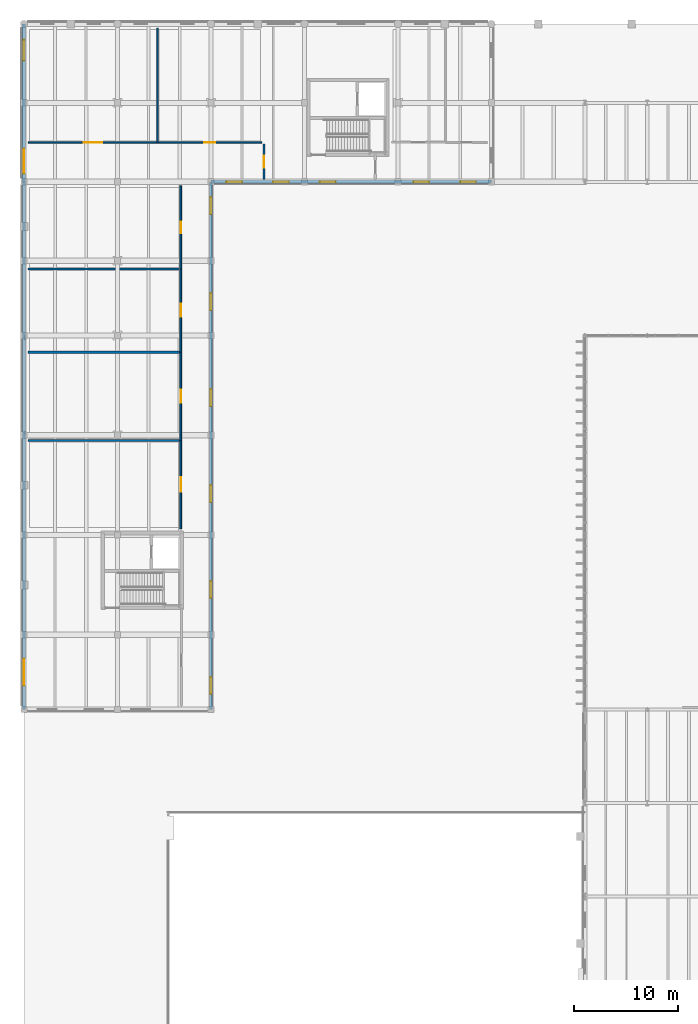
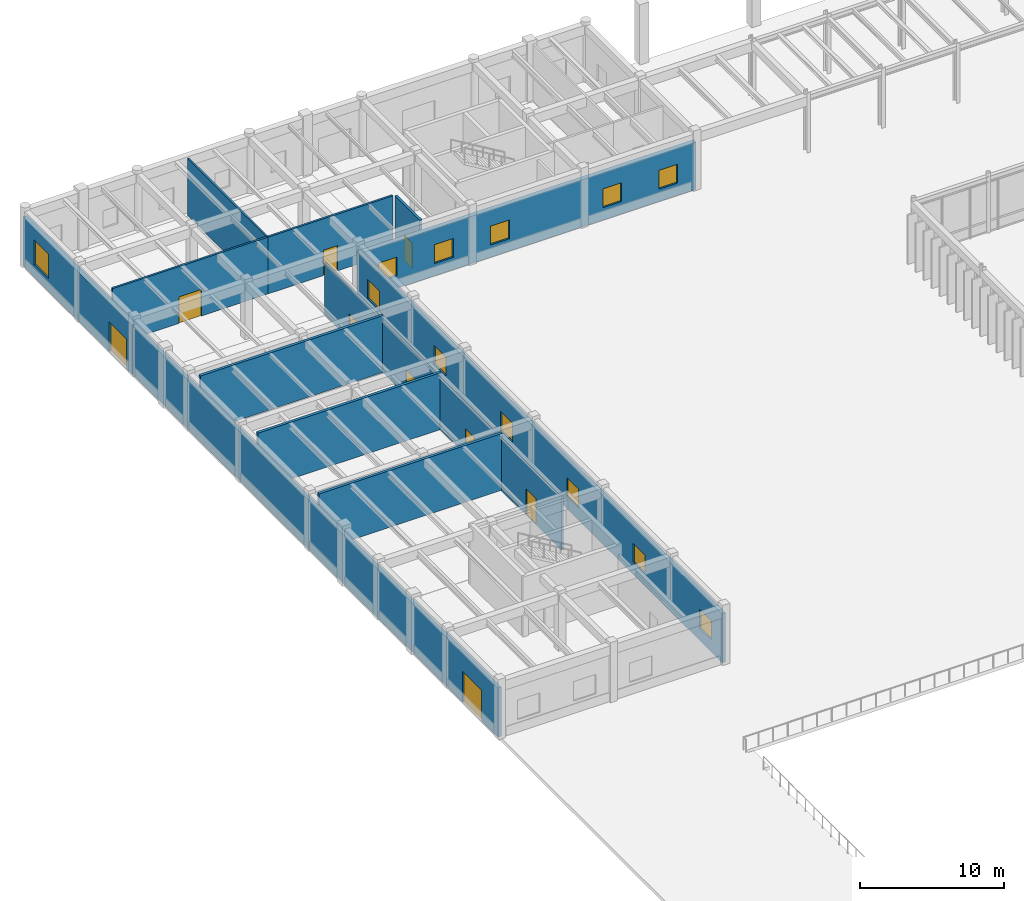
# One storey, part 43 of 64: 15 walls, 12 windows, 9 doors, 21 openings.
"""IFC4 building model written with IfcOpenShell, lengths in metres."""

import ifcopenshell
import ifcopenshell.guid

model = None  # the IFC model being written
_history = None  # IfcOwnerHistory: only IFC2X3 demands one
_inside = {}  # id of a spatial element -> (the spatial element, [elements in it])
_under = {}  # id of a project, library or spatial element -> (it, [spatial elements below it])
_declared = {}  # id of a project -> (the project, [libraries it declares])
_typed = {}  # id of a type object -> (the type object, [elements of that type])
_made_of = {}  # id of a material, layer set ... -> (it, [elements and type objects made of it])


def new_model(schema):
    """Start an empty IFC model of exactly this schema.

    Asked for "IFC4X3", IfcOpenShell would pick the latest addendum, in which some entities
    have other attributes; the version numbers below select the first issue.
    IFC2X3 requires an IfcOwnerHistory on every rooted entity: one is made here for all.
    """
    global model, _history
    if schema == "IFC4X3":
        model = ifcopenshell.file(schema_version=(4, 3, 0, 0))
    else:
        model = ifcopenshell.file(schema=schema)
    _inside.clear()
    _under.clear()
    _declared.clear()
    _typed.clear()
    _made_of.clear()
    _history = None
    if model.schema == "IFC2X3":
        org = make("IfcOrganization", Name="unknown")
        user = make(
            "IfcPersonAndOrganization",
            ThePerson=make("IfcPerson", FamilyName="unknown"),
            TheOrganization=org,
        )
        app = make(
            "IfcApplication",
            ApplicationDeveloper=org,
            Version="unknown",
            ApplicationFullName="unknown",
            ApplicationIdentifier="unknown",
        )
        _history = make(
            "IfcOwnerHistory",
            OwningUser=user,
            OwningApplication=app,
            ChangeAction="ADDED",
            CreationDate=0,
        )
    return model


def make(cls, **values):
    """One entity of the class cls with the attributes given. An attribute that is None is left unset."""
    return model.create_entity(
        cls, **{name: value for name, value in values.items() if value is not None}
    )


def rooted(cls, **values):
    """An entity with a GlobalId (a new one), such as an element, a storey or a relation."""
    return make(cls, GlobalId=ifcopenshell.guid.new(), OwnerHistory=_history, **values)


def si_unit(unit_type, name, prefix=None):
    """IfcSIUnit, for example si_unit("LENGTHUNIT", "METRE", prefix="MILLI")."""
    return make("IfcSIUnit", UnitType=unit_type, Prefix=prefix, Name=name)


def assignment(units):
    """IfcUnitAssignment: the units of a project."""
    return None if units is None else make("IfcUnitAssignment", Units=units)


def point(xyz):
    """IfcCartesianPoint."""
    return None if xyz is None else make("IfcCartesianPoint", Coordinates=xyz)


def direction(xyz):
    """IfcDirection."""
    return None if xyz is None else make("IfcDirection", DirectionRatios=xyz)


def frame(location, z_axis=None, x_axis=None):
    """IfcAxis2Placement3D, a coordinate frame: its origin and axes. An axis left out is left unset."""
    return make(
        "IfcAxis2Placement3D",
        Location=point(location),
        Axis=direction(z_axis),
        RefDirection=direction(x_axis),
    )


def frame_2d(location, x_axis=None):
    """IfcAxis2Placement2D, a coordinate frame in the plane: its origin and x axis."""
    return make(
        "IfcAxis2Placement2D", Location=point(location), RefDirection=direction(x_axis)
    )


def origin():
    """The frame at (0, 0, 0) with its axes left unset."""
    return frame((0.0, 0.0, 0.0))


def place(relative_to, where):
    """IfcLocalPlacement: puts the frame where relative to a parent placement (None: the world)."""
    return make(
        "IfcLocalPlacement", PlacementRelTo=relative_to, RelativePlacement=where
    )


def context(
    kind, dimensions, precision=None, world=None, true_north=None, identifier=None
):
    """IfcGeometricRepresentationContext, for example the 3D "Model" context."""
    return make(
        "IfcGeometricRepresentationContext",
        ContextIdentifier=identifier,
        ContextType=kind,
        CoordinateSpaceDimension=dimensions,
        Precision=precision,
        WorldCoordinateSystem=world,
        TrueNorth=true_north,
    )


def subcontext(parent, identifier, kind, view, scale=None):
    """IfcGeometricRepresentationSubContext, for example "Body" below "Model"."""
    return make(
        "IfcGeometricRepresentationSubContext",
        ContextIdentifier=identifier,
        ContextType=kind,
        ParentContext=parent,
        TargetScale=scale,
        TargetView=view,
    )


def project(units=None, contexts=None):
    """IfcProject with its units and contexts."""
    return rooted(
        "IfcProject",
        Name="project",
        RepresentationContexts=contexts,
        UnitsInContext=assignment(units),
    )


def spatial(cls, under=None, at=None, **own):
    """A site, building, storey or space (cls), placed at a placement, below another one or the project."""
    s = rooted(cls, ObjectPlacement=at, **own)
    if under is not None:
        _under.setdefault(under.id(), (under, []))[1].append(s)
    return s


def profile(cls, at=None, kind="AREA", **sizes):
    """A parametric profile (cls). Its sizes go by their IFC names, for example OverallWidth=200.0."""
    return make(cls, ProfileType=kind, Position=at, **sizes)


def rectangle(**sizes):
    """IfcRectangleProfileDef."""
    return profile("IfcRectangleProfileDef", **sizes)


def extrude(swept, where, along, depth):
    """IfcExtrudedAreaSolid: the profile swept, set in the frame where, extruded along a direction by depth."""
    return make(
        "IfcExtrudedAreaSolid",
        SweptArea=swept,
        Position=where,
        ExtrudedDirection=direction(along),
        Depth=depth,
    )


def shape(context_of_items, identifier, shape_type, items):
    """IfcShapeRepresentation: the items that make up one representation, for example the "Body"."""
    return make(
        "IfcShapeRepresentation",
        ContextOfItems=context_of_items,
        RepresentationIdentifier=identifier,
        RepresentationType=shape_type,
        Items=items,
    )


def material(Name=None, Category=None):
    """IfcMaterial."""
    return make("IfcMaterial", Name=Name, Category=Category)


def layer(
    of_material, thickness, ventilated=None, Name=None, Category=None, Priority=None
):
    """IfcMaterialLayer: one layer of a wall or slab, of a material (None: an air gap)."""
    return make(
        "IfcMaterialLayer",
        Material=of_material,
        LayerThickness=thickness,
        IsVentilated=ventilated,
        Name=Name,
        Category=Category,
        Priority=Priority,
    )


def layer_set(layers, Name=None):
    """IfcMaterialLayerSet."""
    return make("IfcMaterialLayerSet", MaterialLayers=layers, LayerSetName=Name)


def made_of(thing, what):
    """Note that an element or type object is made of a material, layer set ...; save() writes the relation."""
    if what is not None:
        _made_of.setdefault(what.id(), (what, []))[1].append(thing)
    return thing


def type_object(cls, material=None, **own):
    """A type object (cls), such as IfcWallType, which elements share."""
    return made_of(rooted(cls, **own), material)


def element(
    cls,
    number,
    at=None,
    inside=None,
    cuts=None,
    type_object=None,
    material=None,
    context=None,
    identifier="Body",
    shape_type=None,
    held_by="IfcProductDefinitionShape",
    body=None,
    shapes=None,
    **own,
):
    """One element of the class cls, such as IfcWall. Its Tag is "e" and its number.

    at: its placement. inside: the storey or other place that contains it. cuts: it is an
    opening in that element (IfcRelVoidsElement). A single representation is given by context,
    identifier, shape_type and body (its items); several are given by shapes. held_by: the class
    of the entity that holds the representations. save() writes the other relations.
    """
    e = rooted(cls, Tag="e%d" % number, ObjectPlacement=at, **own)
    if body is not None:
        shapes = [shape(context, identifier, shape_type, body)]
    if shapes is not None:
        e.Representation = make(held_by, Representations=shapes)
    if inside is not None:
        _inside.setdefault(inside.id(), (inside, []))[1].append(e)
    if cuts is not None:
        rooted(
            "IfcRelVoidsElement", RelatingBuildingElement=cuts, RelatedOpeningElement=e
        )
    if type_object is not None:
        _typed.setdefault(type_object.id(), (type_object, []))[1].append(e)
    return made_of(e, material)


def fill(opening, filler):
    """IfcRelFillsElement: the door or window that sits in an opening."""
    return rooted(
        "IfcRelFillsElement",
        RelatingOpeningElement=opening,
        RelatedBuildingElement=filler,
    )


def aggregate(whole, parts):
    """IfcRelAggregates: a whole, such as a stair, and the parts it consists of."""
    return rooted("IfcRelAggregates", RelatingObject=whole, RelatedObjects=parts)


def save(model, path):
    """Write the relations noted so far, then the file.

    IfcRelAggregates (storeys below a building ...), IfcRelContainedInSpatialStructure (elements
    in a storey), IfcRelDefinesByType, IfcRelAssociatesMaterial and IfcRelDeclares: one each for
    every whole, place, type object, material and project.
    """
    for whole, parts in _under.values():
        aggregate(whole, parts)
    for where, things in _inside.values():
        rooted(
            "IfcRelContainedInSpatialStructure",
            RelatedElements=things,
            RelatingStructure=where,
        )
    for kind, things in _typed.values():
        rooted("IfcRelDefinesByType", RelatedObjects=things, RelatingType=kind)
    for what, things in _made_of.values():
        rooted("IfcRelAssociatesMaterial", RelatedObjects=things, RelatingMaterial=what)
    for by, libraries in _declared.values():
        rooted("IfcRelDeclares", RelatingContext=by, RelatedDefinitions=libraries)
    model.write(path)


model = new_model("IFC4")

# Units and contexts
model_context = context("Model", 3, precision=1e-05, world=origin(), true_north=direction((0.0, 1.0)))
body_context = subcontext(model_context, "Body", "Model", "MODEL_VIEW")
ifc_project = project(units=[si_unit("LENGTHUNIT", "METRE"), si_unit("AREAUNIT", "SQUARE_METRE"), si_unit("VOLUMEUNIT", "CUBIC_METRE"), si_unit("PLANEANGLEUNIT", "RADIAN"), si_unit("MASSUNIT", "GRAM", prefix="KILO")], contexts=[model_context])

# Site, building, storey
site_placement = place(None, origin())
site = spatial("IfcSite", under=ifc_project, at=site_placement, CompositionType="ELEMENT")
building_placement = place(site_placement, origin())
building = spatial("IfcBuilding", under=site, at=building_placement, Name="Montealbar Specialist Clinic", CompositionType="ELEMENT")
storey_placement = place(building_placement, origin())
storey = spatial("IfcBuildingStorey", under=building, at=storey_placement, Name="L00", CompositionType="ELEMENT", Elevation=0.0)

# Wall, openings, door, window
ifc_material_1 = material(Name="Guadarrama granite ashlar", Category="masonry")
ifc_layer_1 = layer(ifc_material_1, 0.35009765625, Name="Guadarrama granite ashlar", Category="masonry")
ifc_layer_set_1 = layer_set([ifc_layer_1], Name="Guadarrama granite ashlar")
wall_type_1 = type_object("IfcWallType", Name="WL-EXT-GRANITE-350", PredefinedType="SOLIDWALL", material=ifc_layer_set_1)
wall_1_placement = place(storey_placement, frame((0.0, 95.800048828125, 0.0), z_axis=(0.0, 0.0, 1.0), x_axis=(0.0, 1.0, 0.0)))
wall_1 = element("IfcWall", 1, at=wall_1_placement, inside=storey, type_object=wall_type_1, Name="Exterior Facade Wall EW-L00-016", PredefinedType="SOLIDWALL", context=body_context, shape_type="SweptSolid", body=[
    extrude(rectangle(XDim=15.199951171875, YDim=0.35009765625, at=frame_2d((7.60009765625, 0.0))), origin(), (0.0, 0.0, 1.0), 4.159912109375),
])
opening_1_placement = place(wall_1_placement, frame((0.800048828125, 0.0, 0.0)))
opening_1 = element("IfcOpeningElement", 2, at=opening_1_placement, cuts=wall_1, Name="Opening ED-24", PredefinedType="OPENING", context=body_context, shape_type="SweptSolid", body=[
    extrude(rectangle(XDim=2.39990234375, YDim=2.5, at=frame_2d((1.199951171875, 1.25))), frame((0.0, 0.18505859375, 0.0), z_axis=(0.0, -1.0, 0.0), x_axis=(1.0, 0.0, 0.0)), (0.0, 0.0, 1.0), 0.3701171875),
])
opening_2_placement = place(wall_1_placement, frame((11.6669921875, 0.0, 1.050048828125)))
opening_2 = element("IfcOpeningElement", 3, at=opening_2_placement, cuts=wall_1, Name="Opening WN-16", PredefinedType="OPENING", context=body_context, shape_type="SweptSolid", body=[
    extrude(rectangle(XDim=2.0, YDim=2.10009765625, at=frame_2d((1.0, 1.050048828125))), frame((0.0, 0.18505859375, 0.0), z_axis=(0.0, -1.0, 0.0), x_axis=(1.0, 0.0, 0.0)), (0.0, 0.0, 1.0), 0.3701171875),
])
ifc_material_2 = material(Name="Powder-coated aluminium", Category="aluminium")
door_type_1 = type_object("IfcDoorType", Name="DR-PLAZA-W2400", OperationType="DOUBLE_DOOR_SINGLE_SWING", PredefinedType="DOOR", material=ifc_material_2)
door_1_placement = place(opening_1_placement, origin())
door_1 = element("IfcDoor", 4, at=door_1_placement, inside=storey, type_object=door_type_1, Name="West Imaging Pedestrian Exit Door EX-01B", OperationType="DOUBLE_DOOR_SINGLE_SWING", OverallHeight=2.5, OverallWidth=2.39990234375, PredefinedType="DOOR", context=body_context, shape_type="SweptSolid", body=[
    extrude(rectangle(XDim=2.39990234375, YDim=2.5, at=frame_2d((1.199951171875, 1.25))), frame((0.0, 0.02490234375, 0.0), z_axis=(0.0, -1.0, 0.0), x_axis=(1.0, 0.0, 0.0)), (0.0, 0.0, 1.0), 0.050048828125),
])
fill(opening_1, door_1)
ifc_material_3 = material(Name="Low-E double glazing", Category="glass")
window_type_1 = type_object("IfcWindowType", Name="WIN-WN-16", PartitioningType="SINGLE_PANEL", PredefinedType="WINDOW", material=ifc_material_3)
window_1_placement = place(opening_2_placement, origin())
window_1 = element("IfcWindow", 5, at=window_1_placement, inside=storey, type_object=window_type_1, Name="Clinical Facade Window WN-16 L00-0046", OverallHeight=2.10009765625, OverallWidth=2.0, PartitioningType="SINGLE_PANEL", PredefinedType="WINDOW", context=body_context, shape_type="SweptSolid", body=[
    extrude(rectangle(XDim=2.0, YDim=2.10009765625, at=frame_2d((1.0, 1.050048828125))), frame((0.0, 0.030029296875, 0.0), z_axis=(0.0, -1.0, 0.0), x_axis=(1.0, 0.0, 0.0)), (0.0, 0.0, 1.0), 0.06005859375),
])
fill(opening_2, window_1)

# Wall, openings, windows
wall_2_placement = place(storey_placement, frame((45.0, 95.800048828125, 0.0), z_axis=(0.0, 0.0, 1.0), x_axis=(-1.0, 0.0, 0.0)))
wall_2 = element("IfcWall", 6, at=wall_2_placement, inside=storey, type_object=wall_type_1, Name="Exterior Facade Wall EW-L00-019", PredefinedType="SOLIDWALL", context=body_context, shape_type="SweptSolid", body=[
    extrude(rectangle(XDim=27.0, YDim=0.35009765625, at=frame_2d((13.5, 0.0))), origin(), (0.0, 0.0, 1.0), 4.010009765625),
])
opening_3_placement = place(wall_2_placement, frame((1.5, 0.0, 1.050048828125)))
opening_3 = element("IfcOpeningElement", 7, at=opening_3_placement, cuts=wall_2, Name="Opening WN-03", PredefinedType="OPENING", context=body_context, shape_type="SweptSolid", body=[
    extrude(rectangle(XDim=1.5, YDim=1.60009765625, at=frame_2d((0.75, 0.800048828125))), frame((0.0, 0.18505859375, 0.0), z_axis=(0.0, -1.0, 0.0), x_axis=(1.0, 0.0, 0.0)), (0.0, 0.0, 1.0), 0.3701171875),
])
opening_4_placement = place(wall_2_placement, frame((6.0, 0.0, 1.050048828125)))
opening_4 = element("IfcOpeningElement", 8, at=opening_4_placement, cuts=wall_2, Name="Opening WN-03", PredefinedType="OPENING", context=body_context, shape_type="SweptSolid", body=[
    extrude(rectangle(XDim=1.5, YDim=1.60009765625, at=frame_2d((0.75, 0.800048828125))), frame((0.0, 0.18505859375, 0.0), z_axis=(0.0, -1.0, 0.0), x_axis=(1.0, 0.0, 0.0)), (0.0, 0.0, 1.0), 0.3701171875),
])
opening_5_placement = place(wall_2_placement, frame((15.0, 0.0, 1.050048828125)))
opening_5 = element("IfcOpeningElement", 9, at=opening_5_placement, cuts=wall_2, Name="Opening WN-03", PredefinedType="OPENING", context=body_context, shape_type="SweptSolid", body=[
    extrude(rectangle(XDim=1.5, YDim=1.60009765625, at=frame_2d((0.75, 0.800048828125))), frame((0.0, 0.18505859375, 0.0), z_axis=(0.0, -1.0, 0.0), x_axis=(1.0, 0.0, 0.0)), (0.0, 0.0, 1.0), 0.3701171875),
])
opening_6_placement = place(wall_2_placement, frame((19.5, 0.0, 1.050048828125)))
opening_6 = element("IfcOpeningElement", 10, at=opening_6_placement, cuts=wall_2, Name="Opening WN-03", PredefinedType="OPENING", context=body_context, shape_type="SweptSolid", body=[
    extrude(rectangle(XDim=1.5, YDim=1.60009765625, at=frame_2d((0.75, 0.800048828125))), frame((0.0, 0.18505859375, 0.0), z_axis=(0.0, -1.0, 0.0), x_axis=(1.0, 0.0, 0.0)), (0.0, 0.0, 1.0), 0.3701171875),
])
opening_7_placement = place(wall_2_placement, frame((24.0, 0.0, 1.050048828125)))
opening_7 = element("IfcOpeningElement", 11, at=opening_7_placement, cuts=wall_2, Name="Opening WN-03", PredefinedType="OPENING", context=body_context, shape_type="SweptSolid", body=[
    extrude(rectangle(XDim=1.5, YDim=1.60009765625, at=frame_2d((0.75, 0.800048828125))), frame((0.0, 0.18505859375, 0.0), z_axis=(0.0, -1.0, 0.0), x_axis=(1.0, 0.0, 0.0)), (0.0, 0.0, 1.0), 0.3701171875),
])
window_type_2 = type_object("IfcWindowType", Name="WIN-WN-03", PartitioningType="SINGLE_PANEL", PredefinedType="WINDOW", material=ifc_material_3)
window_2_placement = place(opening_3_placement, origin())
window_2 = element("IfcWindow", 12, at=window_2_placement, inside=storey, type_object=window_type_2, Name="Clinical Facade Window WN-03 L00-0056", OverallHeight=1.60009765625, OverallWidth=1.5, PartitioningType="SINGLE_PANEL", PredefinedType="WINDOW", context=body_context, shape_type="SweptSolid", body=[
    extrude(rectangle(XDim=1.5, YDim=1.60009765625, at=frame_2d((0.75, 0.800048828125))), frame((0.0, 0.030029296875, 0.0), z_axis=(0.0, -1.0, 0.0), x_axis=(1.0, 0.0, 0.0)), (0.0, 0.0, 1.0), 0.06005859375),
])
fill(opening_3, window_2)
window_3_placement = place(opening_4_placement, origin())
window_3 = element("IfcWindow", 13, at=window_3_placement, inside=storey, type_object=window_type_2, Name="Clinical Facade Window WN-03 L00-0057", OverallHeight=1.60009765625, OverallWidth=1.5, PartitioningType="SINGLE_PANEL", PredefinedType="WINDOW", context=body_context, shape_type="SweptSolid", body=[
    extrude(rectangle(XDim=1.5, YDim=1.60009765625, at=frame_2d((0.75, 0.800048828125))), frame((0.0, 0.030029296875, 0.0), z_axis=(0.0, -1.0, 0.0), x_axis=(1.0, 0.0, 0.0)), (0.0, 0.0, 1.0), 0.06005859375),
])
fill(opening_4, window_3)
window_4_placement = place(opening_5_placement, origin())
window_4 = element("IfcWindow", 14, at=window_4_placement, inside=storey, type_object=window_type_2, Name="Clinical Facade Window WN-03 L00-0058", OverallHeight=1.60009765625, OverallWidth=1.5, PartitioningType="SINGLE_PANEL", PredefinedType="WINDOW", context=body_context, shape_type="SweptSolid", body=[
    extrude(rectangle(XDim=1.5, YDim=1.60009765625, at=frame_2d((0.75, 0.800048828125))), frame((0.0, 0.030029296875, 0.0), z_axis=(0.0, -1.0, 0.0), x_axis=(1.0, 0.0, 0.0)), (0.0, 0.0, 1.0), 0.06005859375),
])
fill(opening_5, window_4)
window_5_placement = place(opening_6_placement, origin())
window_5 = element("IfcWindow", 15, at=window_5_placement, inside=storey, type_object=window_type_2, Name="Clinical Facade Window WN-03 L00-0059", OverallHeight=1.60009765625, OverallWidth=1.5, PartitioningType="SINGLE_PANEL", PredefinedType="WINDOW", context=body_context, shape_type="SweptSolid", body=[
    extrude(rectangle(XDim=1.5, YDim=1.60009765625, at=frame_2d((0.75, 0.800048828125))), frame((0.0, 0.030029296875, 0.0), z_axis=(0.0, -1.0, 0.0), x_axis=(1.0, 0.0, 0.0)), (0.0, 0.0, 1.0), 0.06005859375),
])
fill(opening_6, window_5)
window_6_placement = place(opening_7_placement, origin())
window_6 = element("IfcWindow", 16, at=window_6_placement, inside=storey, type_object=window_type_2, Name="Clinical Facade Window WN-03 L00-0060", OverallHeight=1.60009765625, OverallWidth=1.5, PartitioningType="SINGLE_PANEL", PredefinedType="WINDOW", context=body_context, shape_type="SweptSolid", body=[
    extrude(rectangle(XDim=1.5, YDim=1.60009765625, at=frame_2d((0.75, 0.800048828125))), frame((0.0, 0.030029296875, 0.0), z_axis=(0.0, -1.0, 0.0), x_axis=(1.0, 0.0, 0.0)), (0.0, 0.0, 1.0), 0.06005859375),
])
fill(opening_7, window_6)

# Wall, opening, door
ifc_material_4 = material(Name="Precast concrete C40/50", Category="concrete")
ifc_layer_2 = layer(ifc_material_4, 0.280029296875, Name="Precast concrete C40/50", Category="concrete")
ifc_layer_set_2 = layer_set([ifc_layer_2], Name="Precast concrete C40/50")
wall_type_2 = type_object("IfcWallType", Name="WL-EXT-PRECAST-280", PredefinedType="SOLIDWALL", material=ifc_layer_set_2)
wall_3_placement = place(storey_placement, frame((0.0, 45.0, 0.0), z_axis=(0.0, 0.0, 1.0), x_axis=(0.0, 1.0, 0.0)))
wall_3 = element("IfcWall", 17, at=wall_3_placement, inside=storey, type_object=wall_type_2, Name="Exterior Facade Wall EW-L00-015", PredefinedType="SOLIDWALL", context=body_context, shape_type="SweptSolid", body=[
    extrude(rectangle(XDim=50.800048828125, YDim=0.280029296875, at=frame_2d((25.39990234375, 0.0))), origin(), (0.0, 0.0, 1.0), 4.159912109375),
])
opening_8_placement = place(wall_3_placement, frame((2.300048828125, 0.0, 0.0)))
opening_8 = element("IfcOpeningElement", 18, at=opening_8_placement, cuts=wall_3, Name="Opening ED-26", PredefinedType="OPENING", context=body_context, shape_type="SweptSolid", body=[
    extrude(rectangle(XDim=2.60009765625, YDim=2.60009765625, at=frame_2d((1.300048828125, 1.300048828125))), frame((0.0, 0.14990234375, 0.0), z_axis=(0.0, -1.0, 0.0), x_axis=(1.0, 0.0, 0.0)), (0.0, 0.0, 1.0), 0.300048828125),
])
door_type_2 = type_object("IfcDoorType", Name="DR-PLAZA-W2600", OperationType="DOUBLE_DOOR_SINGLE_SWING", PredefinedType="DOOR", material=ifc_material_2)
door_2_placement = place(opening_8_placement, origin())
door_2 = element("IfcDoor", 19, at=door_2_placement, inside=storey, type_object=door_type_2, Name="West Oncology Final Exit Door EX-01", OperationType="DOUBLE_DOOR_SINGLE_SWING", OverallHeight=2.60009765625, OverallWidth=2.60009765625, PredefinedType="DOOR", context=body_context, shape_type="SweptSolid", body=[
    extrude(rectangle(XDim=2.60009765625, YDim=2.60009765625, at=frame_2d((1.300048828125, 1.300048828125))), frame((0.0, 0.02490234375, 0.0), z_axis=(0.0, -1.0, 0.0), x_axis=(1.0, 0.0, 0.0)), (0.0, 0.0, 1.0), 0.050048828125),
])
fill(opening_8, door_2)

# Wall, openings, windows
wall_4_placement = place(storey_placement, frame((18.0, 95.800048828125, 0.0), z_axis=(0.0, 0.0, 1.0), x_axis=(0.0, -1.0, 0.0)))
wall_4 = element("IfcWall", 20, at=wall_4_placement, inside=storey, type_object=wall_type_2, Name="Exterior Facade Wall EW-L00-020", PredefinedType="SOLIDWALL", context=body_context, shape_type="SweptSolid", body=[
    extrude(rectangle(XDim=50.800048828125, YDim=0.280029296875, at=frame_2d((25.39990234375, 0.0))), origin(), (0.0, 0.0, 1.0), 4.159912109375),
])
opening_9_placement = place(wall_4_placement, frame((1.48388671875, 0.0, 1.050048828125)))
opening_9 = element("IfcOpeningElement", 21, at=opening_9_placement, cuts=wall_4, Name="Opening WN-04", PredefinedType="OPENING", context=body_context, shape_type="SweptSolid", body=[
    extrude(rectangle(XDim=1.64990234375, YDim=1.60009765625, at=frame_2d((0.824951171875, 0.800048828125))), frame((0.0, 0.14990234375, 0.0), z_axis=(0.0, -1.0, 0.0), x_axis=(1.0, 0.0, 0.0)), (0.0, 0.0, 1.0), 0.300048828125),
])
opening_10_placement = place(wall_4_placement, frame((10.719970703125, 0.0, 1.050048828125)))
opening_10 = element("IfcOpeningElement", 22, at=opening_10_placement, cuts=wall_4, Name="Opening WN-04", PredefinedType="OPENING", context=body_context, shape_type="SweptSolid", body=[
    extrude(rectangle(XDim=1.64990234375, YDim=1.60009765625, at=frame_2d((0.824951171875, 0.800048828125))), frame((0.0, 0.14990234375, 0.0), z_axis=(0.0, -1.0, 0.0), x_axis=(1.0, 0.0, 0.0)), (0.0, 0.0, 1.0), 0.300048828125),
])
opening_11_placement = place(wall_4_placement, frame((19.95703125, 0.0, 1.050048828125)))
opening_11 = element("IfcOpeningElement", 23, at=opening_11_placement, cuts=wall_4, Name="Opening WN-04", PredefinedType="OPENING", context=body_context, shape_type="SweptSolid", body=[
    extrude(rectangle(XDim=1.64990234375, YDim=1.60009765625, at=frame_2d((0.824951171875, 0.800048828125))), frame((0.0, 0.14990234375, 0.0), z_axis=(0.0, -1.0, 0.0), x_axis=(1.0, 0.0, 0.0)), (0.0, 0.0, 1.0), 0.300048828125),
])
opening_12_placement = place(wall_4_placement, frame((29.193115234375, 0.0, 1.050048828125)))
opening_12 = element("IfcOpeningElement", 24, at=opening_12_placement, cuts=wall_4, Name="Opening WN-04", PredefinedType="OPENING", context=body_context, shape_type="SweptSolid", body=[
    extrude(rectangle(XDim=1.64990234375, YDim=1.60009765625, at=frame_2d((0.824951171875, 0.800048828125))), frame((0.0, 0.14990234375, 0.0), z_axis=(0.0, -1.0, 0.0), x_axis=(1.0, 0.0, 0.0)), (0.0, 0.0, 1.0), 0.300048828125),
])
opening_13_placement = place(wall_4_placement, frame((38.429931640625, 0.0, 1.050048828125)))
opening_13 = element("IfcOpeningElement", 25, at=opening_13_placement, cuts=wall_4, Name="Opening WN-04", PredefinedType="OPENING", context=body_context, shape_type="SweptSolid", body=[
    extrude(rectangle(XDim=1.64990234375, YDim=1.60009765625, at=frame_2d((0.824951171875, 0.800048828125))), frame((0.0, 0.14990234375, 0.0), z_axis=(0.0, -1.0, 0.0), x_axis=(1.0, 0.0, 0.0)), (0.0, 0.0, 1.0), 0.300048828125),
])
opening_14_placement = place(wall_4_placement, frame((47.666015625, 0.0, 1.050048828125)))
opening_14 = element("IfcOpeningElement", 26, at=opening_14_placement, cuts=wall_4, Name="Opening WN-04", PredefinedType="OPENING", context=body_context, shape_type="SweptSolid", body=[
    extrude(rectangle(XDim=1.64990234375, YDim=1.60009765625, at=frame_2d((0.824951171875, 0.800048828125))), frame((0.0, 0.14990234375, 0.0), z_axis=(0.0, -1.0, 0.0), x_axis=(1.0, 0.0, 0.0)), (0.0, 0.0, 1.0), 0.300048828125),
])
window_type_3 = type_object("IfcWindowType", Name="WIN-WN-04", PartitioningType="SINGLE_PANEL", PredefinedType="WINDOW", material=ifc_material_3)
window_7_placement = place(opening_9_placement, origin())
window_7 = element("IfcWindow", 27, at=window_7_placement, inside=storey, type_object=window_type_3, Name="Clinical Facade Window WN-04 L00-0061", OverallHeight=1.60009765625, OverallWidth=1.64990234375, PartitioningType="SINGLE_PANEL", PredefinedType="WINDOW", context=body_context, shape_type="SweptSolid", body=[
    extrude(rectangle(XDim=1.64990234375, YDim=1.60009765625, at=frame_2d((0.824951171875, 0.800048828125))), frame((0.0, 0.030029296875, 0.0), z_axis=(0.0, -1.0, 0.0), x_axis=(1.0, 0.0, 0.0)), (0.0, 0.0, 1.0), 0.06005859375),
])
fill(opening_9, window_7)
window_8_placement = place(opening_10_placement, origin())
window_8 = element("IfcWindow", 28, at=window_8_placement, inside=storey, type_object=window_type_3, Name="Clinical Facade Window WN-04 L00-0062", OverallHeight=1.60009765625, OverallWidth=1.64990234375, PartitioningType="SINGLE_PANEL", PredefinedType="WINDOW", context=body_context, shape_type="SweptSolid", body=[
    extrude(rectangle(XDim=1.64990234375, YDim=1.60009765625, at=frame_2d((0.824951171875, 0.800048828125))), frame((0.0, 0.030029296875, 0.0), z_axis=(0.0, -1.0, 0.0), x_axis=(1.0, 0.0, 0.0)), (0.0, 0.0, 1.0), 0.06005859375),
])
fill(opening_10, window_8)
window_9_placement = place(opening_11_placement, origin())
window_9 = element("IfcWindow", 29, at=window_9_placement, inside=storey, type_object=window_type_3, Name="Clinical Facade Window WN-04 L00-0063", OverallHeight=1.60009765625, OverallWidth=1.64990234375, PartitioningType="SINGLE_PANEL", PredefinedType="WINDOW", context=body_context, shape_type="SweptSolid", body=[
    extrude(rectangle(XDim=1.64990234375, YDim=1.60009765625, at=frame_2d((0.824951171875, 0.800048828125))), frame((0.0, 0.030029296875, 0.0), z_axis=(0.0, -1.0, 0.0), x_axis=(1.0, 0.0, 0.0)), (0.0, 0.0, 1.0), 0.06005859375),
])
fill(opening_11, window_9)
window_10_placement = place(opening_12_placement, origin())
window_10 = element("IfcWindow", 30, at=window_10_placement, inside=storey, type_object=window_type_3, Name="Clinical Facade Window WN-04 L00-0064", OverallHeight=1.60009765625, OverallWidth=1.64990234375, PartitioningType="SINGLE_PANEL", PredefinedType="WINDOW", context=body_context, shape_type="SweptSolid", body=[
    extrude(rectangle(XDim=1.64990234375, YDim=1.60009765625, at=frame_2d((0.824951171875, 0.800048828125))), frame((0.0, 0.030029296875, 0.0), z_axis=(0.0, -1.0, 0.0), x_axis=(1.0, 0.0, 0.0)), (0.0, 0.0, 1.0), 0.06005859375),
])
fill(opening_12, window_10)
window_11_placement = place(opening_13_placement, origin())
window_11 = element("IfcWindow", 31, at=window_11_placement, inside=storey, type_object=window_type_3, Name="Clinical Facade Window WN-04 L00-0065", OverallHeight=1.60009765625, OverallWidth=1.64990234375, PartitioningType="SINGLE_PANEL", PredefinedType="WINDOW", context=body_context, shape_type="SweptSolid", body=[
    extrude(rectangle(XDim=1.64990234375, YDim=1.60009765625, at=frame_2d((0.824951171875, 0.800048828125))), frame((0.0, 0.030029296875, 0.0), z_axis=(0.0, -1.0, 0.0), x_axis=(1.0, 0.0, 0.0)), (0.0, 0.0, 1.0), 0.06005859375),
])
fill(opening_13, window_11)
window_12_placement = place(opening_14_placement, origin())
window_12 = element("IfcWindow", 32, at=window_12_placement, inside=storey, type_object=window_type_3, Name="Clinical Facade Window WN-04 L00-0066", OverallHeight=1.60009765625, OverallWidth=1.64990234375, PartitioningType="SINGLE_PANEL", PredefinedType="WINDOW", context=body_context, shape_type="SweptSolid", body=[
    extrude(rectangle(XDim=1.64990234375, YDim=1.60009765625, at=frame_2d((0.824951171875, 0.800048828125))), frame((0.0, 0.030029296875, 0.0), z_axis=(0.0, -1.0, 0.0), x_axis=(1.0, 0.0, 0.0)), (0.0, 0.0, 1.0), 0.06005859375),
])
fill(opening_14, window_12)

# Wall
ifc_material_5 = material(Name="Gypsum acoustic partition", Category="gypsum")
ifc_layer_3 = layer(ifc_material_5, 0.139892578125, Name="Gypsum acoustic partition", Category="gypsum")
ifc_layer_set_3 = layer_set([ifc_layer_3], Name="Gypsum acoustic partition")
wall_type_3 = type_object("IfcWallType", Name="WL-PART-ACOUSTIC-140", PredefinedType="PARTITIONING", material=ifc_layer_set_3)
wall_5_placement = place(storey_placement, frame((12.875, 99.60009765625, 0.0), z_axis=(0.0, 0.0, 1.0), x_axis=(0.0, 1.0, 0.0)))
element("IfcWall", 33, at=wall_5_placement, inside=storey, type_object=wall_type_3, Name="Clinical Partition PART-L00-0028", PredefinedType="PARTITIONING", context=body_context, shape_type="SweptSolid", body=[
    extrude(rectangle(XDim=11.0, YDim=0.139892578125, at=frame_2d((5.5, 0.0))), origin(), (0.0, 0.0, 1.0), 4.820068359375),
])

# Wall, opening, door
ifc_layer_4 = layer(ifc_material_5, 0.159912109375, Name="Gypsum acoustic partition", Category="gypsum")
ifc_layer_set_4 = layer_set([ifc_layer_4], Name="Gypsum acoustic partition")
wall_type_4 = type_object("IfcWallType", Name="WL-PART-CLINIC-160", PredefinedType="PARTITIONING", material=ifc_layer_set_4)
wall_6_placement = place(storey_placement, frame((15.10009765625, 62.39990234375, 0.0), z_axis=(0.0, 0.0, 1.0), x_axis=(0.0, 1.0, 0.0)))
wall_6 = element("IfcWall", 34, at=wall_6_placement, inside=storey, type_object=wall_type_4, Name="Clinical Partition PART-L00-0020", PredefinedType="PARTITIONING", context=body_context, shape_type="SweptSolid", body=[
    extrude(rectangle(XDim=8.5, YDim=0.159912109375, at=frame_2d((4.25, 0.0))), origin(), (0.0, 0.0, 1.0), 4.530029296875),
])
opening_15_placement = place(wall_6_placement, frame((3.550048828125, 0.0, 0.0)))
opening_15 = element("IfcOpeningElement", 35, at=opening_15_placement, cuts=wall_6, Name="Opening ID-140", PredefinedType="OPENING", context=body_context, shape_type="SweptSolid", body=[
    extrude(rectangle(XDim=1.39990234375, YDim=2.199951171875, at=frame_2d((0.699951171875, 1.10009765625))), frame((0.0, 0.08984375, 0.0), z_axis=(0.0, -1.0, 0.0), x_axis=(1.0, 0.0, 0.0)), (0.0, 0.0, 1.0), 0.179931640625),
])
ifc_material_6 = material(Name="Acoustic timber leaf", Category="wood")
door_type_3 = type_object("IfcDoorType", Name="DR-BED-W1400", OperationType="NOTDEFINED", PredefinedType="DOOR", material=ifc_material_6)
door_3_placement = place(opening_15_placement, frame((1.39990234375, 0.0, 0.0), z_axis=(0.0, 0.0, 1.0), x_axis=(-1.0, 0.0, 0.0)))
door_3 = element("IfcDoor", 36, at=door_3_placement, inside=storey, type_object=door_type_3, Name="Clinical Room Door IDR-L00-0014", OperationType="SINGLE_SWING_LEFT", OverallHeight=2.199951171875, OverallWidth=1.39990234375, PredefinedType="DOOR", context=body_context, shape_type="SweptSolid", body=[
    extrude(rectangle(XDim=1.39990234375, YDim=2.199951171875, at=frame_2d((0.699951171875, 1.10009765625))), frame((0.0, 0.02490234375, 0.0), z_axis=(0.0, -1.0, 0.0), x_axis=(1.0, 0.0, 0.0)), (0.0, 0.0, 1.0), 0.050048828125),
])
fill(opening_15, door_3)

wall_7_placement = place(storey_placement, frame((15.10009765625, 70.89990234375, 0.0), z_axis=(0.0, 0.0, 1.0), x_axis=(0.0, 1.0, 0.0)))
wall_7 = element("IfcWall", 37, at=wall_7_placement, inside=storey, type_object=wall_type_4, Name="Clinical Partition PART-L00-0022", PredefinedType="PARTITIONING", context=body_context, shape_type="SweptSolid", body=[
    extrude(rectangle(XDim=8.5, YDim=0.159912109375, at=frame_2d((4.25, 0.0))), origin(), (0.0, 0.0, 1.0), 4.489990234375),
])
opening_16_placement = place(wall_7_placement, frame((3.64990234375, 0.0, 0.0)))
opening_16 = element("IfcOpeningElement", 38, at=opening_16_placement, cuts=wall_7, Name="Opening ID-12L", PredefinedType="OPENING", context=body_context, shape_type="SweptSolid", body=[
    extrude(rectangle(XDim=1.25, YDim=2.199951171875, at=frame_2d((0.625, 1.10009765625))), frame((0.0, 0.08984375, 0.0), z_axis=(0.0, -1.0, 0.0), x_axis=(1.0, 0.0, 0.0)), (0.0, 0.0, 1.0), 0.179931640625),
])
door_type_4 = type_object("IfcDoorType", Name="DR-LEAD-W1200", OperationType="NOTDEFINED", PredefinedType="DOOR", material=ifc_material_6)
door_4_placement = place(opening_16_placement, frame((1.25, 0.0, 0.0), z_axis=(0.0, 0.0, 1.0), x_axis=(-1.0, 0.0, 0.0)))
door_4 = element("IfcDoor", 39, at=door_4_placement, inside=storey, type_object=door_type_4, Name="Clinical Room Door IDR-L00-0015", OperationType="SINGLE_SWING_RIGHT", OverallHeight=2.199951171875, OverallWidth=1.25, PredefinedType="DOOR", context=body_context, shape_type="SweptSolid", body=[
    extrude(rectangle(XDim=1.25, YDim=2.199951171875, at=frame_2d((0.625, 1.10009765625))), frame((0.0, 0.02490234375, 0.0), z_axis=(0.0, -1.0, 0.0), x_axis=(1.0, 0.0, 0.0)), (0.0, 0.0, 1.0), 0.050048828125),
])
fill(opening_16, door_4)

wall_8_placement = place(storey_placement, frame((15.10009765625, 79.39990234375, 0.0), z_axis=(0.0, 0.0, 1.0), x_axis=(0.0, 1.0, 0.0)))
wall_8 = element("IfcWall", 40, at=wall_8_placement, inside=storey, type_object=wall_type_4, Name="Clinical Partition PART-L00-0024", PredefinedType="PARTITIONING", context=body_context, shape_type="SweptSolid", body=[
    extrude(rectangle(XDim=8.0, YDim=0.159912109375, at=frame_2d((4.0, 0.0))), origin(), (0.0, 0.0, 1.0), 4.360107421875),
])
opening_17_placement = place(wall_8_placement, frame((3.39990234375, 0.0, 0.0)))
opening_17 = element("IfcOpeningElement", 41, at=opening_17_placement, cuts=wall_8, Name="Opening ID-12L", PredefinedType="OPENING", context=body_context, shape_type="SweptSolid", body=[
    extrude(rectangle(XDim=1.25, YDim=2.199951171875, at=frame_2d((0.625, 1.10009765625))), frame((0.0, 0.08984375, 0.0), z_axis=(0.0, -1.0, 0.0), x_axis=(1.0, 0.0, 0.0)), (0.0, 0.0, 1.0), 0.179931640625),
])
door_5_placement = place(opening_17_placement, frame((1.25, 0.0, 0.0), z_axis=(0.0, 0.0, 1.0), x_axis=(-1.0, 0.0, 0.0)))
door_5 = element("IfcDoor", 42, at=door_5_placement, inside=storey, type_object=door_type_4, Name="Clinical Room Door IDR-L00-0016", OperationType="SINGLE_SWING_LEFT", OverallHeight=2.199951171875, OverallWidth=1.25, PredefinedType="DOOR", context=body_context, shape_type="SweptSolid", body=[
    extrude(rectangle(XDim=1.25, YDim=2.199951171875, at=frame_2d((0.625, 1.10009765625))), frame((0.0, 0.02490234375, 0.0), z_axis=(0.0, -1.0, 0.0), x_axis=(1.0, 0.0, 0.0)), (0.0, 0.0, 1.0), 0.050048828125),
])
fill(opening_17, door_5)

wall_9_placement = place(storey_placement, frame((15.10009765625, 87.39990234375, 0.0), z_axis=(0.0, 0.0, 1.0), x_axis=(0.0, 1.0, 0.0)))
wall_9 = element("IfcWall", 43, at=wall_9_placement, inside=storey, type_object=wall_type_4, Name="Clinical Partition PART-L00-0026", PredefinedType="PARTITIONING", context=body_context, shape_type="SweptSolid", body=[
    extrude(rectangle(XDim=8.0, YDim=0.159912109375, at=frame_2d((4.0, 0.0))), origin(), (0.0, 0.0, 1.0), 4.360107421875),
])
opening_18_placement = place(wall_9_placement, frame((3.449951171875, 0.0, 0.0)))
opening_18 = element("IfcOpeningElement", 44, at=opening_18_placement, cuts=wall_9, Name="Opening ID-110", PredefinedType="OPENING", context=body_context, shape_type="SweptSolid", body=[
    extrude(rectangle(XDim=1.10009765625, YDim=2.14990234375, at=frame_2d((0.550048828125, 1.074951171875))), frame((0.0, 0.08984375, 0.0), z_axis=(0.0, -1.0, 0.0), x_axis=(1.0, 0.0, 0.0)), (0.0, 0.0, 1.0), 0.179931640625),
])
door_type_5 = type_object("IfcDoorType", Name="DR-CLIN-W1100", OperationType="NOTDEFINED", PredefinedType="DOOR", material=ifc_material_6)
door_6_placement = place(opening_18_placement, frame((1.10009765625, 0.0, 0.0), z_axis=(0.0, 0.0, 1.0), x_axis=(-1.0, 0.0, 0.0)))
door_6 = element("IfcDoor", 45, at=door_6_placement, inside=storey, type_object=door_type_5, Name="Clinical Room Door IDR-L00-0017", OperationType="SINGLE_SWING_RIGHT", OverallHeight=2.14990234375, OverallWidth=1.10009765625, PredefinedType="DOOR", context=body_context, shape_type="SweptSolid", body=[
    extrude(rectangle(XDim=1.10009765625, YDim=2.14990234375, at=frame_2d((0.550048828125, 1.074951171875))), frame((0.0, 0.02490234375, 0.0), z_axis=(0.0, -1.0, 0.0), x_axis=(1.0, 0.0, 0.0)), (0.0, 0.0, 1.0), 0.050048828125),
])
fill(opening_18, door_6)

wall_10_placement = place(storey_placement, frame((0.39990234375, 99.60009765625, 0.0), z_axis=(0.0, 0.0, 1.0), x_axis=(1.0, 0.0, 0.0)))
wall_10 = element("IfcWall", 46, at=wall_10_placement, inside=storey, type_object=wall_type_4, Name="Clinical Partition PART-L00-0027", PredefinedType="PARTITIONING", context=body_context, shape_type="SweptSolid", body=[
    extrude(rectangle(XDim=12.47509765625, YDim=0.159912109375, at=frame_2d((6.237548828125, 0.0))), origin(), (0.0, 0.0, 1.0), 4.820068359375),
])
opening_19_placement = place(wall_10_placement, frame((5.3369140625, 0.0, 0.0)))
opening_19 = element("IfcOpeningElement", 47, at=opening_19_placement, cuts=wall_10, Name="Opening ID-180", PredefinedType="OPENING", context=body_context, shape_type="SweptSolid", body=[
    extrude(rectangle(XDim=1.800048828125, YDim=2.25, at=frame_2d((0.89990234375, 1.125))), frame((0.0, 0.08984375, 0.0), z_axis=(0.0, -1.0, 0.0), x_axis=(1.0, 0.0, 0.0)), (0.0, 0.0, 1.0), 0.179931640625),
])
door_type_6 = type_object("IfcDoorType", Name="DR-DBL-W1800", OperationType="DOUBLE_DOOR_SINGLE_SWING", PredefinedType="DOOR", material=ifc_material_6)
door_7_placement = place(opening_19_placement, frame((1.800048828125, 0.0, 0.0), z_axis=(0.0, 0.0, 1.0), x_axis=(-1.0, 0.0, 0.0)))
door_7 = element("IfcDoor", 48, at=door_7_placement, inside=storey, type_object=door_type_6, Name="Clinical Room Door IDR-L00-0018", OperationType="DOUBLE_DOOR_SINGLE_SWING", OverallHeight=2.25, OverallWidth=1.800048828125, PredefinedType="DOOR", context=body_context, shape_type="SweptSolid", body=[
    extrude(rectangle(XDim=1.800048828125, YDim=2.25, at=frame_2d((0.89990234375, 1.125))), frame((0.0, 0.02490234375, 0.0), z_axis=(0.0, -1.0, 0.0), x_axis=(1.0, 0.0, 0.0)), (0.0, 0.0, 1.0), 0.050048828125),
])
fill(opening_19, door_7)

wall_11_placement = place(storey_placement, frame((12.875, 99.60009765625, 0.0), z_axis=(0.0, 0.0, 1.0), x_axis=(1.0, 0.0, 0.0)))
wall_11 = element("IfcWall", 49, at=wall_11_placement, inside=storey, type_object=wall_type_4, Name="Clinical Partition PART-L00-0029", PredefinedType="PARTITIONING", context=body_context, shape_type="SweptSolid", body=[
    extrude(rectangle(XDim=10.02490234375, YDim=0.159912109375, at=frame_2d((5.012451171875, 0.0))), origin(), (0.0, 0.0, 1.0), 4.820068359375),
])
opening_20_placement = place(wall_11_placement, frame((4.4619140625, 0.0, 0.0)))
opening_20 = element("IfcOpeningElement", 50, at=opening_20_placement, cuts=wall_11, Name="Opening ID-110", PredefinedType="OPENING", context=body_context, shape_type="SweptSolid", body=[
    extrude(rectangle(XDim=1.10009765625, YDim=2.14990234375, at=frame_2d((0.550048828125, 1.074951171875))), frame((0.0, 0.08984375, 0.0), z_axis=(0.0, -1.0, 0.0), x_axis=(1.0, 0.0, 0.0)), (0.0, 0.0, 1.0), 0.179931640625),
])
door_8_placement = place(opening_20_placement, frame((1.10009765625, 0.0, 0.0), z_axis=(0.0, 0.0, 1.0), x_axis=(-1.0, 0.0, 0.0)))
door_8 = element("IfcDoor", 51, at=door_8_placement, inside=storey, type_object=door_type_5, Name="Clinical Room Door IDR-L00-0019", OperationType="SINGLE_SWING_LEFT", OverallHeight=2.14990234375, OverallWidth=1.10009765625, PredefinedType="DOOR", context=body_context, shape_type="SweptSolid", body=[
    extrude(rectangle(XDim=1.10009765625, YDim=2.14990234375, at=frame_2d((0.550048828125, 1.074951171875))), frame((0.0, 0.02490234375, 0.0), z_axis=(0.0, -1.0, 0.0), x_axis=(1.0, 0.0, 0.0)), (0.0, 0.0, 1.0), 0.050048828125),
])
fill(opening_20, door_8)

ifc_material_7 = material(Name="Concrete C30/37", Category="concrete")
ifc_layer_5 = layer(ifc_material_7, 0.199951171875, Name="Concrete C30/37", Category="concrete")
ifc_layer_set_5 = layer_set([ifc_layer_5], Name="Concrete C30/37")
wall_type_5 = type_object("IfcWallType", Name="WL-PART-FIRE-200", PredefinedType="PARTITIONING", material=ifc_layer_set_5)
wall_12_placement = place(storey_placement, frame((23.1201171875, 96.0, 0.0), z_axis=(0.0, 0.0, 1.0), x_axis=(0.0, 1.0, 0.0)))
wall_12 = element("IfcWall", 52, at=wall_12_placement, inside=storey, type_object=wall_type_5, Name="Clinical Partition PART-L00-0018", PredefinedType="PARTITIONING", context=body_context, shape_type="SweptSolid", body=[
    extrude(rectangle(XDim=3.449951171875, YDim=0.199951171875, at=frame_2d((1.72509765625, 0.0))), origin(), (0.0, 0.0, 1.0), 4.820068359375),
])
opening_21_placement = place(wall_12_placement, frame((1.175048828125, 0.0, 0.0)))
opening_21 = element("IfcOpeningElement", 53, at=opening_21_placement, cuts=wall_12, Name="Opening FD-110", PredefinedType="OPENING", context=body_context, shape_type="SweptSolid", body=[
    extrude(rectangle(XDim=1.1201171875, YDim=2.14990234375, at=frame_2d((0.56005859375, 1.074951171875))), frame((0.0, 0.10986328125, 0.0), z_axis=(0.0, -1.0, 0.0), x_axis=(1.0, 0.0, 0.0)), (0.0, 0.0, 1.0), 0.219970703125),
])
ifc_material_8 = material(Name="Steel S355", Category="steel")
door_type_7 = type_object("IfcDoorType", Name="DR-FIRE-W1100", OperationType="NOTDEFINED", PredefinedType="DOOR", material=ifc_material_8)
door_9_placement = place(opening_21_placement, origin())
door_9 = element("IfcDoor", 54, at=door_9_placement, inside=storey, type_object=door_type_7, Name="Clinical Room Door IDR-L00-0012", OperationType="SINGLE_SWING_LEFT", OverallHeight=2.14990234375, OverallWidth=1.1201171875, PredefinedType="DOOR", context=body_context, shape_type="SweptSolid", body=[
    extrude(rectangle(XDim=1.1201171875, YDim=2.14990234375, at=frame_2d((0.56005859375, 1.074951171875))), frame((0.0, 0.02490234375, 0.0), z_axis=(0.0, -1.0, 0.0), x_axis=(1.0, 0.0, 0.0)), (0.0, 0.0, 1.0), 0.050048828125),
])
fill(opening_21, door_9)

# Walls
ifc_material_9 = material(Name="Lead-lined radiation partition", Category="concrete")
ifc_layer_6 = layer(ifc_material_9, 0.219970703125, Name="Lead-lined radiation partition", Category="concrete")
ifc_layer_set_6 = layer_set([ifc_layer_6], Name="Lead-lined radiation partition")
wall_type_6 = type_object("IfcWallType", Name="WL-PART-LEAD-220", PredefinedType="PARTITIONING", material=ifc_layer_set_6)
for number, where, z_axis, x_axis, name in (
    (55, (0.39990234375, 70.89990234375, 0.0), (0.0, 0.0, 1.0), (1.0, 0.0, 0.0), "Clinical Partition PART-L00-0021"),
    (56, (0.39990234375, 79.39990234375, 0.0), (0.0, 0.0, 1.0), (1.0, 0.0, 0.0), "Clinical Partition PART-L00-0023"),
    (57, (0.39990234375, 87.39990234375, 0.0), (0.0, 0.0, 1.0), (1.0, 0.0, 0.0), "Clinical Partition PART-L00-0025"),
):
    element("IfcWall", number, at=place(storey_placement, frame(where, z_axis=z_axis, x_axis=x_axis)), inside=storey, type_object=wall_type_6, Name=name, PredefinedType="PARTITIONING", context=body_context, shape_type="SweptSolid", body=[
        extrude(rectangle(XDim=14.7001953125, YDim=0.219970703125, at=frame_2d((7.35009765625, 0.0))), origin(), (0.0, 0.0, 1.0), 4.820068359375),
    ])

save(model, "model.ifc")
